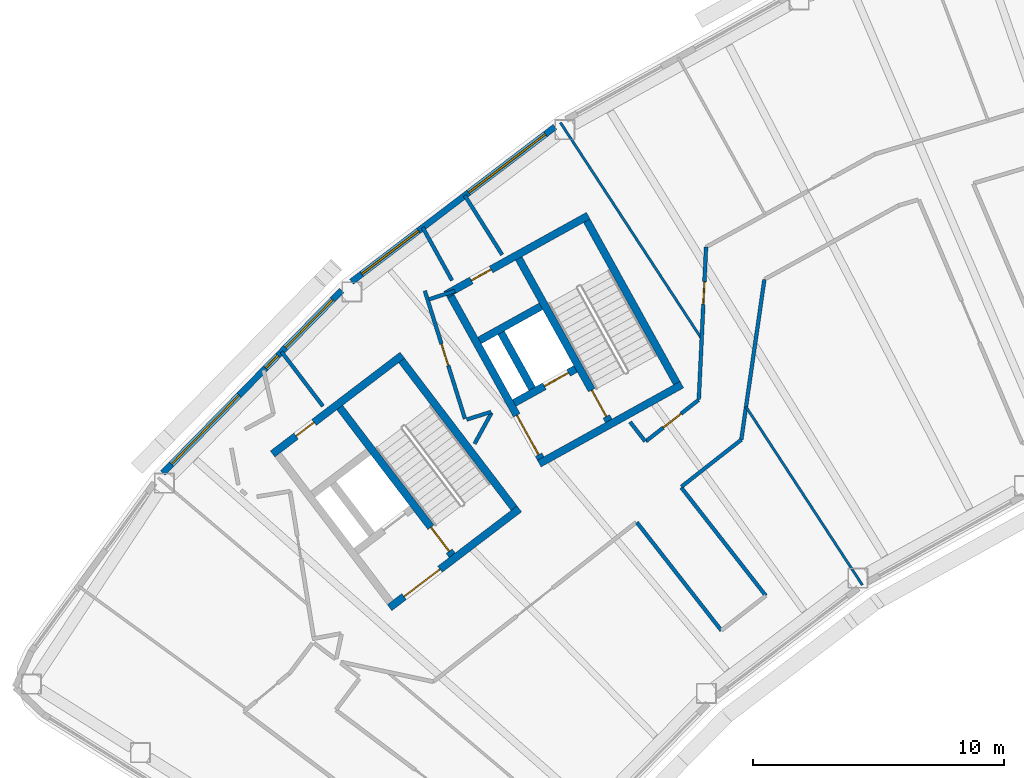
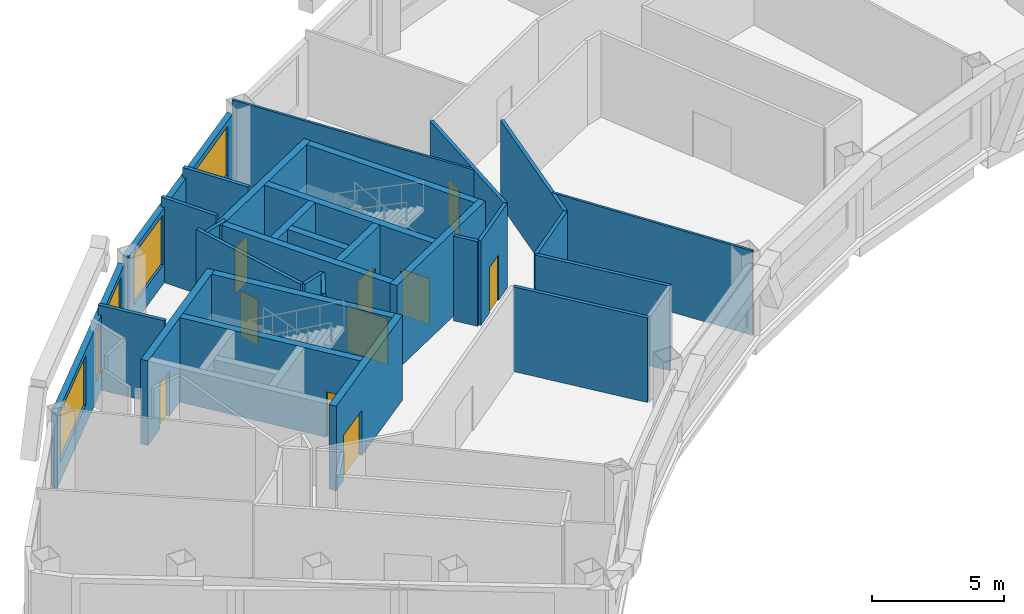
# One storey, part 6 of 14: 30 walls, 10 doors, 5 windows, 15 openings.
"""IFC4 building model written with IfcOpenShell, lengths in metres."""

from ifc_helpers import new_model, si_unit, direction, frame, frame_2d, origin, place, context, subcontext, project, spatial, rectangle, extrude, material, layer, layer_set, type_object, element, fill, save


model = new_model("IFC4")

# Units and contexts
model_context = context("Model", 3, precision=1e-05, world=origin(), true_north=direction((0.0, 1.0)))
body_context = subcontext(model_context, "Body", "Model", "MODEL_VIEW")
ifc_project = project(units=[si_unit("LENGTHUNIT", "METRE"), si_unit("AREAUNIT", "SQUARE_METRE"), si_unit("VOLUMEUNIT", "CUBIC_METRE"), si_unit("PLANEANGLEUNIT", "RADIAN"), si_unit("MASSUNIT", "GRAM", prefix="KILO")], contexts=[model_context])

# Site, building, storey
site_placement = place(None, origin())
site = spatial("IfcSite", under=ifc_project, at=site_placement, CompositionType="ELEMENT")
building_placement = place(site_placement, origin())
building = spatial("IfcBuilding", under=site, at=building_placement, Name="Tuul Gate Civic Tower", CompositionType="ELEMENT")
storey_placement = place(building_placement, frame((0.0, 0.0, 269.39990234375)))
storey = spatial("IfcBuildingStorey", under=building, at=storey_placement, Name="Level 61", CompositionType="ELEMENT", Elevation=269.39990234375)

# Wall, opening, door
ifc_material_1 = material(Name="Concrete C50/60", Category="concrete")
ifc_layer_1 = layer(ifc_material_1, 0.300048828125)
ifc_layer_set_1 = layer_set([ifc_layer_1], Name="Concrete C50/60")
wall_type_1 = type_object("IfcWallType", Name="Core wall C50/60", PredefinedType="SHEAR", material=ifc_layer_set_1)
wall_1_placement = place(storey_placement, frame((-31.19091796875, -13.669677734375, 0.0), z_axis=(0.0, 0.0, 1.0), x_axis=(-0.795606717756, -0.605813461934, 0.0)))
wall_1 = element("IfcWall", 1, at=wall_1_placement, inside=storey, type_object=wall_type_1, Name="Core wall", PredefinedType="SHEAR", context=body_context, shape_type="SweptSolid", body=[
    extrude(rectangle(XDim=6.5, YDim=0.300048828125, at=frame_2d((3.25, 0.0))), origin(), (0.0, 0.0, 1.0), 3.900146484375),
])
opening_1_placement = place(wall_1_placement, frame((3.97509765625, 0.0, 0.0)))
opening_1 = element("IfcOpeningElement", 2, at=opening_1_placement, cuts=wall_1, Name="Opening LB-W1-LOBBY-1", PredefinedType="OPENING", context=body_context, shape_type="SweptSolid", body=[
    extrude(rectangle(XDim=1.800048828125, YDim=2.10009765625, at=frame_2d((0.89990234375, 1.050048828125))), frame((0.0, 0.16015625, 0.0), z_axis=(0.0, -1.0, 0.0), x_axis=(1.0, 0.0, 0.0)), (0.0, 0.0, 1.0), 0.320068359375),
])
ifc_material_2 = material(Name="Steel", Category="steel")
door_type_1 = type_object("IfcDoorType", Name="Lobby door", OperationType="DOUBLE_DOOR_SINGLE_SWING", PredefinedType="DOOR", material=ifc_material_2)
door_1_placement = place(opening_1_placement, origin())
door_1 = element("IfcDoor", 3, at=door_1_placement, inside=storey, type_object=door_type_1, Name="Lobby door W1-LOBBY", OperationType="DOUBLE_DOOR_SINGLE_SWING", OverallHeight=2.10009765625, OverallWidth=1.800048828125, PredefinedType="DOOR", context=body_context, shape_type="SweptSolid", body=[
    extrude(rectangle(XDim=1.800048828125, YDim=2.10009765625, at=frame_2d((0.89990234375, 1.050048828125))), frame((0.0, 0.02490234375, 0.0), z_axis=(0.0, -1.0, 0.0), x_axis=(1.0, 0.0, 0.0)), (0.0, 0.0, 1.0), 0.050048828125),
])
fill(opening_1, door_1)

wall_2_placement = place(storey_placement, frame((-35.855224609375, -7.543212890625, 0.0), z_axis=(0.0, 0.0, 1.0), x_axis=(-0.79563860527, -0.605771582202, 0.0)))
wall_2 = element("IfcWall", 4, at=wall_2_placement, inside=storey, type_object=wall_type_1, Name="Core wall", PredefinedType="SHEAR", context=body_context, shape_type="SweptSolid", body=[
    extrude(rectangle(XDim=6.5, YDim=0.300048828125, at=frame_2d((3.25, 0.0))), origin(), (0.0, 0.0, 1.0), 3.900146484375),
])
opening_2_placement = place(wall_2_placement, frame((4.425048828125, 0.0, 0.0)))
opening_2 = element("IfcOpeningElement", 5, at=opening_2_placement, cuts=wall_2, Name="Opening W-D33", PredefinedType="OPENING", context=body_context, shape_type="SweptSolid", body=[
    extrude(rectangle(XDim=0.89990234375, YDim=2.10009765625, at=frame_2d((0.449951171875, 1.050048828125))), frame((0.0, 0.16015625, 0.0), z_axis=(0.0, -1.0, 0.0), x_axis=(1.0, 0.0, 0.0)), (0.0, 0.0, 1.0), 0.320068359375),
])
ifc_material_3 = material(Name="Timber door leaf", Category="wood")
door_type_2 = type_object("IfcDoorType", Name="Door D09", OperationType="NOTDEFINED", PredefinedType="DOOR", material=ifc_material_3)
door_2_placement = place(opening_2_placement, origin())
door_2 = element("IfcDoor", 6, at=door_2_placement, inside=storey, type_object=door_type_2, Name="Door W-D33", OperationType="SINGLE_SWING_LEFT", OverallHeight=2.10009765625, OverallWidth=0.89990234375, PredefinedType="DOOR", context=body_context, shape_type="SweptSolid", body=[
    extrude(rectangle(XDim=0.89990234375, YDim=2.10009765625, at=frame_2d((0.449951171875, 1.050048828125))), frame((0.0, 0.02490234375, 0.0), z_axis=(0.0, -1.0, 0.0), x_axis=(1.0, 0.0, 0.0)), (0.0, 0.0, 1.0), 0.050048828125),
])
fill(opening_2, door_2)

# Wall
wall_3_placement = place(storey_placement, frame((-31.401123046875, -13.64111328125, 0.0), z_axis=(0.0, 0.0, 1.0), x_axis=(-0.605769822278, 0.795639945213, 0.0)))
element("IfcWall", 7, at=wall_3_placement, inside=storey, type_object=wall_type_1, Name="Core wall", PredefinedType="SHEAR", context=body_context, shape_type="SweptSolid", body=[
    extrude(rectangle(XDim=7.39990234375, YDim=0.300048828125, at=frame_2d((3.699951171875, 0.0))), origin(), (0.0, 0.0, 1.0), 3.900146484375),
])

# Wall, opening, door
wall_4_placement = place(storey_placement, frame((-33.867431640625, -15.51904296875, 0.0), z_axis=(0.0, 0.0, 1.0), x_axis=(-0.605769822278, 0.795639945213, 0.0)))
wall_4 = element("IfcWall", 8, at=wall_4_placement, inside=storey, type_object=wall_type_1, Name="Core wall", PredefinedType="SHEAR", context=body_context, shape_type="SweptSolid", body=[
    extrude(rectangle(XDim=7.39990234375, YDim=0.300048828125, at=frame_2d((3.699951171875, 0.0))), origin(), (0.0, 0.0, 1.0), 3.900146484375),
])
opening_3_placement = place(wall_4_placement, frame((0.199951171875, 0.0, 0.0)))
opening_3 = element("IfcOpeningElement", 9, at=opening_3_placement, cuts=wall_4, Name="Opening SD-ST-1", PredefinedType="OPENING", context=body_context, shape_type="SweptSolid", body=[
    extrude(rectangle(XDim=1.199951171875, YDim=2.10009765625, at=frame_2d((0.60009765625, 1.050048828125))), frame((0.0, 0.16015625, 0.0), z_axis=(0.0, -1.0, 0.0), x_axis=(1.0, 0.0, 0.0)), (0.0, 0.0, 1.0), 0.320068359375),
])
ifc_material_4 = material(Name="Steel", Category="steel")
door_type_3 = type_object("IfcDoorType", Name="Stair door", OperationType="NOTDEFINED", PredefinedType="DOOR", material=ifc_material_4)
door_3_placement = place(opening_3_placement, origin())
door_3 = element("IfcDoor", 10, at=door_3_placement, inside=storey, type_object=door_type_3, Name="Stair door ST-1", OperationType="SINGLE_SWING_LEFT", OverallHeight=2.10009765625, OverallWidth=1.199951171875, PredefinedType="DOOR", context=body_context, shape_type="SweptSolid", body=[
    extrude(rectangle(XDim=1.199951171875, YDim=2.10009765625, at=frame_2d((0.60009765625, 1.050048828125))), frame((0.0, 0.02490234375, 0.0), z_axis=(0.0, -1.0, 0.0), x_axis=(1.0, 0.0, 0.0)), (0.0, 0.0, 1.0), 0.050048828125),
])
fill(opening_3, door_3)

# Wall
wall_5_placement = place(storey_placement, frame((-24.711669921875, -8.7158203125, 0.0), z_axis=(0.0, 0.0, 1.0), x_axis=(-0.874629909008, -0.484791215132, 0.0)))
element("IfcWall", 11, at=wall_5_placement, inside=storey, type_object=wall_type_1, Name="Core wall", PredefinedType="SHEAR", context=body_context, shape_type="SweptSolid", body=[
    extrude(rectangle(XDim=6.5, YDim=0.300048828125, at=frame_2d((3.25, 0.0))), origin(), (0.0, 0.0, 1.0), 3.900146484375),
])

# Wall, opening, door
wall_6_placement = place(storey_placement, frame((-28.94580078125, -8.090087890625, 0.0), z_axis=(0.0, 0.0, 1.0), x_axis=(-0.874629840737, -0.484791338301, 0.0)))
wall_6 = element("IfcWall", 12, at=wall_6_placement, inside=storey, type_object=wall_type_1, Name="Core wall", PredefinedType="SHEAR", context=body_context, shape_type="SweptSolid", body=[
    extrude(rectangle(XDim=2.800048828125, YDim=0.300048828125, at=frame_2d((1.39990234375, 0.0))), origin(), (0.0, 0.0, 1.0), 3.900146484375),
])
opening_4_placement = place(wall_6_placement, frame((0.324951171875, 0.0, 0.0)))
opening_4 = element("IfcOpeningElement", 13, at=opening_4_placement, cuts=wall_6, Name="Opening LD-FF-1", PredefinedType="OPENING", context=body_context, shape_type="SweptSolid", body=[
    extrude(rectangle(XDim=1.10009765625, YDim=2.10009765625, at=frame_2d((0.550048828125, 1.050048828125))), frame((0.0, 0.16015625, 0.0), z_axis=(0.0, -1.0, 0.0), x_axis=(1.0, 0.0, 0.0)), (0.0, 0.0, 1.0), 0.320068359375),
])
ifc_material_5 = material(Name="Stainless steel", Category="steel")
door_type_4 = type_object("IfcDoorType", Name="Landing door", OperationType="DOUBLE_DOOR_SLIDING", PredefinedType="DOOR", material=ifc_material_5)
door_4_placement = place(opening_4_placement, origin())
door_4 = element("IfcDoor", 14, at=door_4_placement, inside=storey, type_object=door_type_4, Name="Fire-fighting lift FF-1 landing door", OperationType="DOUBLE_DOOR_SLIDING", OverallHeight=2.10009765625, OverallWidth=1.10009765625, PredefinedType="DOOR", context=body_context, shape_type="SweptSolid", body=[
    extrude(rectangle(XDim=1.10009765625, YDim=2.10009765625, at=frame_2d((0.550048828125, 1.050048828125))), frame((0.0, 0.02490234375, 0.0), z_axis=(0.0, -1.0, 0.0), x_axis=(1.0, 0.0, 0.0)), (0.0, 0.0, 1.0), 0.050048828125),
])
fill(opening_4, door_4)

# Wall
wall_7_placement = place(storey_placement, frame((-30.327392578125, -5.59716796875, 0.0), z_axis=(0.0, 0.0, 1.0), x_axis=(-0.874629840737, -0.484791338301, 0.0)))
element("IfcWall", 15, at=wall_7_placement, inside=storey, type_object=wall_type_1, Name="Core wall", PredefinedType="SHEAR", context=body_context, shape_type="SweptSolid", body=[
    extrude(rectangle(XDim=2.800048828125, YDim=0.300048828125, at=frame_2d((1.39990234375, 0.0))), origin(), (0.0, 0.0, 1.0), 3.900146484375),
])

# Wall, opening, door
wall_8_placement = place(storey_placement, frame((-28.4443359375, -1.98095703125, 0.0), z_axis=(0.0, 0.0, 1.0), x_axis=(-0.874629909008, -0.484791215132, 0.0)))
wall_8 = element("IfcWall", 16, at=wall_8_placement, inside=storey, type_object=wall_type_1, Name="Core wall", PredefinedType="SHEAR", context=body_context, shape_type="SweptSolid", body=[
    extrude(rectangle(XDim=6.5, YDim=0.300048828125, at=frame_2d((3.25, 0.0))), origin(), (0.0, 0.0, 1.0), 3.900146484375),
])
opening_5_placement = place(wall_8_placement, frame((4.425048828125, 0.0, 0.0)))
opening_5 = element("IfcOpeningElement", 17, at=opening_5_placement, cuts=wall_8, Name="Opening W-D34", PredefinedType="OPENING", context=body_context, shape_type="SweptSolid", body=[
    extrude(rectangle(XDim=0.89990234375, YDim=2.10009765625, at=frame_2d((0.449951171875, 1.050048828125))), frame((0.0, 0.16015625, 0.0), z_axis=(0.0, -1.0, 0.0), x_axis=(1.0, 0.0, 0.0)), (0.0, 0.0, 1.0), 0.320068359375),
])
door_5_placement = place(opening_5_placement, origin())
door_5 = element("IfcDoor", 18, at=door_5_placement, inside=storey, type_object=door_type_2, Name="Door W-D34", OperationType="SINGLE_SWING_LEFT", OverallHeight=2.10009765625, OverallWidth=0.89990234375, PredefinedType="DOOR", context=body_context, shape_type="SweptSolid", body=[
    extrude(rectangle(XDim=0.89990234375, YDim=2.10009765625, at=frame_2d((0.449951171875, 1.050048828125))), frame((0.0, 0.02490234375, 0.0), z_axis=(0.0, -1.0, 0.0), x_axis=(1.0, 0.0, 0.0)), (0.0, 0.0, 1.0), 0.050048828125),
])
fill(opening_5, door_5)

# Wall
wall_9_placement = place(storey_placement, frame((-24.91552734375, -8.6572265625, 0.0), z_axis=(0.0, 0.0, 1.0), x_axis=(-0.484777133038, 0.874637714304, 0.0)))
element("IfcWall", 19, at=wall_9_placement, inside=storey, type_object=wall_type_1, Name="Core wall", PredefinedType="SHEAR", context=body_context, shape_type="SweptSolid", body=[
    extrude(rectangle(XDim=7.400146484375, YDim=0.300048828125, at=frame_2d((3.7001953125, 0.0))), origin(), (0.0, 0.0, 1.0), 3.900146484375),
])

# Wall, opening, door
wall_10_placement = place(storey_placement, frame((-27.626953125, -10.16015625, 0.0), z_axis=(0.0, 0.0, 1.0), x_axis=(-0.484751894226, 0.874651702704, 0.0)))
wall_10 = element("IfcWall", 20, at=wall_10_placement, inside=storey, type_object=wall_type_1, Name="Core wall", PredefinedType="SHEAR", context=body_context, shape_type="SweptSolid", body=[
    extrude(rectangle(XDim=7.39990234375, YDim=0.300048828125, at=frame_2d((3.699951171875, 0.0))), origin(), (0.0, 0.0, 1.0), 3.900146484375),
])
opening_6_placement = place(wall_10_placement, frame((0.199951171875, 0.0, 0.0)))
opening_6 = element("IfcOpeningElement", 21, at=opening_6_placement, cuts=wall_10, Name="Opening SD-ST-2", PredefinedType="OPENING", context=body_context, shape_type="SweptSolid", body=[
    extrude(rectangle(XDim=1.199951171875, YDim=2.10009765625, at=frame_2d((0.60009765625, 1.050048828125))), frame((0.0, 0.16015625, 0.0), z_axis=(0.0, -1.0, 0.0), x_axis=(1.0, 0.0, 0.0)), (0.0, 0.0, 1.0), 0.320068359375),
])
door_6_placement = place(opening_6_placement, origin())
door_6 = element("IfcDoor", 22, at=door_6_placement, inside=storey, type_object=door_type_3, Name="Stair door ST-2", OperationType="SINGLE_SWING_LEFT", OverallHeight=2.10009765625, OverallWidth=1.199951171875, PredefinedType="DOOR", context=body_context, shape_type="SweptSolid", body=[
    extrude(rectangle(XDim=1.199951171875, YDim=2.10009765625, at=frame_2d((0.60009765625, 1.050048828125))), frame((0.0, 0.02490234375, 0.0), z_axis=(0.0, -1.0, 0.0), x_axis=(1.0, 0.0, 0.0)), (0.0, 0.0, 1.0), 0.050048828125),
])
fill(opening_6, door_6)

# Wall
wall_11_placement = place(storey_placement, frame((-30.680419921875, -8.8798828125, 0.0), z_axis=(0.0, 0.0, 1.0), x_axis=(-0.484724115216, 0.874667097888, 0.0)))
element("IfcWall", 23, at=wall_11_placement, inside=storey, type_object=wall_type_1, Name="Core wall", PredefinedType="SHEAR", context=body_context, shape_type="SweptSolid", body=[
    extrude(rectangle(XDim=2.550048828125, YDim=0.300048828125, at=frame_2d((1.27490234375, 0.0))), origin(), (0.0, 0.0, 1.0), 3.900146484375),
])

# Wall, opening, door
wall_12_placement = place(storey_placement, frame((-30.33837890625, -11.6630859375, 0.0), z_axis=(0.0, 0.0, 1.0), x_axis=(-0.484751894226, 0.874651702704, 0.0)))
wall_12 = element("IfcWall", 24, at=wall_12_placement, inside=storey, type_object=wall_type_1, Name="Core wall", PredefinedType="SHEAR", context=body_context, shape_type="SweptSolid", body=[
    extrude(rectangle(XDim=7.39990234375, YDim=0.300048828125, at=frame_2d((3.699951171875, 0.0))), origin(), (0.0, 0.0, 1.0), 3.900146484375),
])
opening_7_placement = place(wall_12_placement, frame((0.175048828125, 0.0, 0.0)))
opening_7 = element("IfcOpeningElement", 25, at=opening_7_placement, cuts=wall_12, Name="Opening LB-W2-FLOBBY-1", PredefinedType="OPENING", context=body_context, shape_type="SweptSolid", body=[
    extrude(rectangle(XDim=1.800048828125, YDim=2.10009765625, at=frame_2d((0.89990234375, 1.050048828125))), frame((0.0, 0.16015625, 0.0), z_axis=(0.0, -1.0, 0.0), x_axis=(1.0, 0.0, 0.0)), (0.0, 0.0, 1.0), 0.320068359375),
])
door_7_placement = place(opening_7_placement, frame((1.800048828125, 0.0, 0.0), z_axis=(0.0, 0.0, 1.0), x_axis=(-1.0, 0.0, 0.0)))
door_7 = element("IfcDoor", 26, at=door_7_placement, inside=storey, type_object=door_type_1, Name="Lobby door W2-FLOBBY", OperationType="DOUBLE_DOOR_SINGLE_SWING", OverallHeight=2.10009765625, OverallWidth=1.800048828125, PredefinedType="DOOR", context=body_context, shape_type="SweptSolid", body=[
    extrude(rectangle(XDim=1.800048828125, YDim=2.10009765625, at=frame_2d((0.900146484375, 1.050048828125))), frame((0.0, 0.02490234375, 0.0), z_axis=(0.0, -1.0, 0.0), x_axis=(1.0, 0.0, 0.0)), (0.0, 0.0, 1.0), 0.050048828125),
])
fill(opening_7, door_7)

# Wall
ifc_material_6 = material(Name="Gypsum board partition")
ifc_layer_2 = layer(ifc_material_6, 0.14990234375)
ifc_layer_set_2 = layer_set([ifc_layer_2], Name="Gypsum board partition")
wall_type_2 = type_object("IfcWallType", Name="Corridor wall P150", PredefinedType="PARTITIONING", material=ifc_layer_set_2)
wall_13_placement = place(storey_placement, frame((-34.794189453125, -5.319580078125, 0.0), z_axis=(0.0, 0.0, 1.0), x_axis=(0.95087756527, 0.30956720735, 0.0)))
element("IfcWall", 27, at=wall_13_placement, inside=storey, type_object=wall_type_2, Name="p037", PredefinedType="PARTITIONING", context=body_context, shape_type="SweptSolid", body=[
    extrude(rectangle(XDim=1.08984375, YDim=0.14990234375, at=frame_2d((0.544921875, 0.0))), origin(), (0.0, 0.0, 1.0), 3.900146484375),
])

# Wall, opening, door
wall_14_placement = place(storey_placement, frame((-24.03662109375, -9.312744140625, 0.0), z_axis=(0.0, 0.0, 1.0), x_axis=(0.047761393896, 0.998858773428, 0.0)))
wall_14 = element("IfcWall", 28, at=wall_14_placement, inside=storey, type_object=wall_type_2, Name="p041", PredefinedType="PARTITIONING", context=body_context, shape_type="SweptSolid", body=[
    extrude(rectangle(XDim=6.087890625, YDim=0.14990234375, at=frame_2d((3.0439453125, 0.0))), origin(), (0.0, 0.0, 1.0), 3.900146484375),
])
opening_8_placement = place(wall_14_placement, frame((3.803955078125, 0.0, 0.0)))
opening_8 = element("IfcOpeningElement", 29, at=opening_8_placement, cuts=wall_14, Name="Opening W-D15", PredefinedType="OPENING", context=body_context, shape_type="SweptSolid", body=[
    extrude(rectangle(XDim=0.89990234375, YDim=2.10009765625, at=frame_2d((0.449951171875, 1.050048828125))), frame((0.0, 0.0849609375, 0.0), z_axis=(0.0, -1.0, 0.0), x_axis=(1.0, 0.0, 0.0)), (0.0, 0.0, 1.0), 0.169921875),
])
door_8_placement = place(opening_8_placement, origin())
door_8 = element("IfcDoor", 30, at=door_8_placement, inside=storey, type_object=door_type_2, Name="Door W-D15", OperationType="SINGLE_SWING_LEFT", OverallHeight=2.10009765625, OverallWidth=0.89990234375, PredefinedType="DOOR", context=body_context, shape_type="SweptSolid", body=[
    extrude(rectangle(XDim=0.89990234375, YDim=2.10009765625, at=frame_2d((0.449951171875, 1.050048828125))), frame((0.0, 0.02490234375, 0.0), z_axis=(0.0, -1.0, 0.0), x_axis=(1.0, 0.0, 0.0)), (0.0, 0.0, 1.0), 0.050048828125),
])
fill(opening_8, door_8)

wall_15_placement = place(storey_placement, frame((-26.147705078125, -10.977294921875, 0.0), z_axis=(0.0, 0.0, 1.0), x_axis=(0.786910828548, 0.617066728899, 0.0)))
wall_15 = element("IfcWall", 31, at=wall_15_placement, inside=storey, type_object=wall_type_2, Name="p042", PredefinedType="PARTITIONING", context=body_context, shape_type="SweptSolid", body=[
    extrude(rectangle(XDim=2.672119140625, YDim=0.14990234375, at=frame_2d((1.3359375, 0.0))), origin(), (0.0, 0.0, 1.0), 3.900146484375),
])
opening_9_placement = place(wall_15_placement, frame((0.88623046875, 0.0, 0.0)))
opening_9 = element("IfcOpeningElement", 32, at=opening_9_placement, cuts=wall_15, Name="Opening W-D16", PredefinedType="OPENING", context=body_context, shape_type="SweptSolid", body=[
    extrude(rectangle(XDim=0.89990234375, YDim=2.10009765625, at=frame_2d((0.449951171875, 1.050048828125))), frame((0.0, 0.0849609375, 0.0), z_axis=(0.0, -1.0, 0.0), x_axis=(1.0, 0.0, 0.0)), (0.0, 0.0, 1.0), 0.169921875),
])
door_9_placement = place(opening_9_placement, origin())
door_9 = element("IfcDoor", 33, at=door_9_placement, inside=storey, type_object=door_type_2, Name="Door W-D16", OperationType="SINGLE_SWING_LEFT", OverallHeight=2.10009765625, OverallWidth=0.89990234375, PredefinedType="DOOR", context=body_context, shape_type="SweptSolid", body=[
    extrude(rectangle(XDim=0.89990234375, YDim=2.10009765625, at=frame_2d((0.449951171875, 1.050048828125))), frame((0.0, 0.02490234375, 0.0), z_axis=(0.0, -1.0, 0.0), x_axis=(1.0, 0.0, 0.0)), (0.0, 0.0, 1.0), 0.050048828125),
])
fill(opening_9, door_9)

# Walls
wall_16_placement = place(storey_placement, frame((-26.77734375, -10.20458984375, 0.0), z_axis=(0.0, 0.0, 1.0), x_axis=(0.6155324018, -0.788111579875, 0.0)))
element("IfcWall", 34, at=wall_16_placement, inside=storey, type_object=wall_type_2, Name="p043", PredefinedType="PARTITIONING", context=body_context, shape_type="SweptSolid", body=[
    extrude(rectangle(XDim=0.97607421875, YDim=0.14990234375, at=frame_2d((0.488037109375, 0.0))), origin(), (0.0, 0.0, 1.0), 3.900146484375),
])
wall_17_placement = place(storey_placement, frame((-24.734619140625, -12.819091796875, 0.0), z_axis=(0.0, 0.0, 1.0), x_axis=(0.615656160531, -0.788014905951, 0.0)))
element("IfcWall", 35, at=wall_17_placement, inside=storey, type_object=wall_type_2, Name="p044", PredefinedType="PARTITIONING", context=body_context, shape_type="SweptSolid", body=[
    extrude(rectangle(XDim=5.47314453125, YDim=0.14990234375, at=frame_2d((2.736572265625, 0.0))), origin(), (0.0, 0.0, 1.0), 3.900146484375),
])
wall_18_placement = place(storey_placement, frame((-33.365478515625, -1.1748046875, 0.0), z_axis=(0.0, 0.0, 1.0), x_axis=(0.533065798125, -0.846073788076, 0.0)))
element("IfcWall", 36, at=wall_18_placement, inside=storey, type_object=wall_type_2, Name="p045", PredefinedType="PARTITIONING", context=body_context, shape_type="SweptSolid", body=[
    extrude(rectangle(XDim=2.794677734375, YDim=0.14990234375, at=frame_2d((1.3974609375, 0.0))), origin(), (0.0, 0.0, 1.0), 3.900146484375),
])
wall_19_placement = place(storey_placement, frame((-35.04296875, -2.451904296875, 0.0), z_axis=(0.0, 0.0, 1.0), x_axis=(0.484714349253, -0.87467250993, 0.0)))
element("IfcWall", 37, at=wall_19_placement, inside=storey, type_object=wall_type_2, Name="p046", PredefinedType="PARTITIONING", context=body_context, shape_type="SweptSolid", body=[
    extrude(rectangle(XDim=2.41162109375, YDim=0.14990234375, at=frame_2d((1.205810546875, 0.0))), origin(), (0.0, 0.0, 1.0), 3.900146484375),
])

# Wall, opening, door
wall_20_placement = place(storey_placement, frame((-34.95849609375, -4.9794921875, 0.0), z_axis=(0.0, 0.0, 1.0), x_axis=(0.299486852474, -0.954100427206, 0.0)))
wall_20 = element("IfcWall", 38, at=wall_20_placement, inside=storey, type_object=wall_type_2, Name="p047", PredefinedType="PARTITIONING", context=body_context, shape_type="SweptSolid", body=[
    extrude(rectangle(XDim=5.344482421875, YDim=0.14990234375, at=frame_2d((2.67236328125, 0.0))), origin(), (0.0, 0.0, 1.0), 3.900146484375),
])
opening_10_placement = place(wall_20_placement, frame((2.22216796875, 0.0, 0.0)))
opening_10 = element("IfcOpeningElement", 39, at=opening_10_placement, cuts=wall_20, Name="Opening W-D17", PredefinedType="OPENING", context=body_context, shape_type="SweptSolid", body=[
    extrude(rectangle(XDim=0.89990234375, YDim=2.10009765625, at=frame_2d((0.449951171875, 1.050048828125))), frame((0.0, 0.0849609375, 0.0), z_axis=(0.0, -1.0, 0.0), x_axis=(1.0, 0.0, 0.0)), (0.0, 0.0, 1.0), 0.169921875),
])
door_10_placement = place(opening_10_placement, frame((0.89990234375, 0.0, 0.0), z_axis=(0.0, 0.0, 1.0), x_axis=(-1.0, 0.0, 0.0)))
door_10 = element("IfcDoor", 40, at=door_10_placement, inside=storey, type_object=door_type_2, Name="Door W-D17", OperationType="SINGLE_SWING_LEFT", OverallHeight=2.10009765625, OverallWidth=0.89990234375, PredefinedType="DOOR", context=body_context, shape_type="SweptSolid", body=[
    extrude(rectangle(XDim=0.89990234375, YDim=2.10009765625, at=frame_2d((0.449951171875, 1.050048828125))), frame((0.0, 0.02490234375, 0.0), z_axis=(0.0, -1.0, 0.0), x_axis=(1.0, 0.0, 0.0)), (0.0, 0.0, 1.0), 0.050048828125),
])
fill(opening_10, door_10)

# Walls
wall_21_placement = place(storey_placement, frame((-33.294921875, -10.111572265625, 0.0), z_axis=(0.0, 0.0, 1.0), x_axis=(0.954097025147, 0.299497690485, 0.0)))
element("IfcWall", 41, at=wall_21_placement, inside=storey, type_object=wall_type_2, Name="p048", PredefinedType="PARTITIONING", context=body_context, shape_type="SweptSolid", body=[
    extrude(rectangle(XDim=1.02294921875, YDim=0.14990234375, at=frame_2d((0.511474609375, 0.0))), origin(), (0.0, 0.0, 1.0), 3.900146484375),
])
wall_22_placement = place(storey_placement, frame((-32.9755859375, -11.076904296875, 0.0), z_axis=(0.0, 0.0, 1.0), x_axis=(0.479986398448, 0.87727592997, 0.0)))
element("IfcWall", 42, at=wall_22_placement, inside=storey, type_object=wall_type_2, Name="p049", PredefinedType="PARTITIONING", context=body_context, shape_type="SweptSolid", body=[
    extrude(rectangle(XDim=1.4169921875, YDim=0.14990234375, at=frame_2d((0.70849609375, 0.0))), origin(), (0.0, 0.0, 1.0), 3.900146484375),
])
wall_23_placement = place(storey_placement, frame((-40.67236328125, -7.407470703125, 0.0), z_axis=(0.0, 0.0, 1.0), x_axis=(0.605902863311, -0.795538635285, 0.0)))
element("IfcWall", 43, at=wall_23_placement, inside=storey, type_object=wall_type_2, Name="p050", PredefinedType="PARTITIONING", context=body_context, shape_type="SweptSolid", body=[
    extrude(rectangle(XDim=2.7255859375, YDim=0.14990234375, at=frame_2d((1.36279296875, 0.0))), origin(), (0.0, 0.0, 1.0), 3.900146484375),
])
wall_24_placement = place(storey_placement, frame((-22.34228515625, -10.913818359375, 0.0), z_axis=(0.0, 0.0, 1.0), x_axis=(0.142798133898, 0.989751834025, 0.0)))
element("IfcWall", 44, at=wall_24_placement, inside=storey, type_object=wall_type_2, Name="p090", PredefinedType="PARTITIONING", context=body_context, shape_type="SweptSolid", body=[
    extrude(rectangle(XDim=6.4541015625, YDim=0.14990234375, at=frame_2d((3.22705078125, 0.0))), origin(), (0.0, 0.0, 1.0), 3.900146484375),
])
wall_25_placement = place(storey_placement, frame((-24.731201171875, -12.790283203125, 0.0), z_axis=(0.0, 0.0, 1.0), x_axis=(0.786404784197, 0.6177115147, 0.0)))
element("IfcWall", 45, at=wall_25_placement, inside=storey, type_object=wall_type_2, Name="p094", PredefinedType="PARTITIONING", context=body_context, shape_type="SweptSolid", body=[
    extrude(rectangle(XDim=3.037841796875, YDim=0.14990234375, at=frame_2d((1.51904296875, 0.0))), origin(), (0.0, 0.0, 1.0), 3.900146484375),
])
wall_26_placement = place(storey_placement, frame((-26.50390625, -14.208984375, 0.0), z_axis=(0.0, 0.0, 1.0), x_axis=(0.615651840912, -0.788018280741, 0.0)))
element("IfcWall", 46, at=wall_26_placement, inside=storey, type_object=wall_type_2, Name="p095", PredefinedType="PARTITIONING", context=body_context, shape_type="SweptSolid", body=[
    extrude(rectangle(XDim=5.46728515625, YDim=0.14990234375, at=frame_2d((2.733642578125, 0.0))), origin(), (0.0, 0.0, 1.0), 3.900146484375),
])

# Wall, openings, windows
ifc_material_7 = material(Name="Precast concrete C40/50", Category="concrete")
ifc_layer_3 = layer(ifc_material_7, 0.25)
ifc_layer_set_3 = layer_set([ifc_layer_3], Name="Precast concrete C40/50")
wall_type_3 = type_object("IfcWallType", Name="External wall", PredefinedType="STANDARD", material=ifc_layer_set_3)
wall_27_placement = place(storey_placement, frame((-29.77099609375, 1.555419921875, 0.0), z_axis=(0.0, 0.0, 1.0), x_axis=(-0.795654969417, -0.605750088437, 0.0)))
wall_27 = element("IfcWall", 47, at=wall_27_placement, inside=storey, type_object=wall_type_3, Name="External wall", PredefinedType="STANDARD", context=body_context, shape_type="SweptSolid", body=[
    extrude(rectangle(XDim=10.189697265625, YDim=0.25, at=frame_2d((5.0947265625, 0.0))), origin(), (0.0, 0.0, 1.0), 3.4501953125),
])
opening_11_placement = place(wall_27_placement, frame((0.47314453125, 0.0, 0.89990234375)))
opening_11 = element("IfcOpeningElement", 48, at=opening_11_placement, cuts=wall_27, Name="Opening W22", PredefinedType="OPENING", context=body_context, shape_type="SweptSolid", body=[
    extrude(rectangle(XDim=3.85009765625, YDim=2.300048828125, at=frame_2d((1.925048828125, 1.14990234375))), frame((0.0, 0.135009765625, 0.0), z_axis=(0.0, -1.0, 0.0), x_axis=(1.0, 0.0, 0.0)), (0.0, 0.0, 1.0), 0.27001953125),
])
opening_12_placement = place(wall_27_placement, frame((6.8330078125, 0.0, 0.89990234375)))
opening_12 = element("IfcOpeningElement", 49, at=opening_12_placement, cuts=wall_27, Name="Opening W68", PredefinedType="OPENING", context=body_context, shape_type="SweptSolid", body=[
    extrude(rectangle(XDim=2.85009765625, YDim=2.300048828125, at=frame_2d((1.425048828125, 1.14990234375))), frame((0.0, 0.135009765625, 0.0), z_axis=(0.0, -1.0, 0.0), x_axis=(1.0, 0.0, 0.0)), (0.0, 0.0, 1.0), 0.27001953125),
])
ifc_material_8 = material(Name="Glass", Category="glass")
window_type_1 = type_object("IfcWindowType", Name="Window 2850 x 2300", PartitioningType="SINGLE_PANEL", PredefinedType="WINDOW", material=ifc_material_8)
window_1_placement = place(opening_12_placement, origin())
window_1 = element("IfcWindow", 50, at=window_1_placement, inside=storey, type_object=window_type_1, Name="Window", OverallHeight=2.300048828125, OverallWidth=2.85009765625, PartitioningType="SINGLE_PANEL", PredefinedType="WINDOW", context=body_context, shape_type="SweptSolid", body=[
    extrude(rectangle(XDim=2.85009765625, YDim=2.300048828125, at=frame_2d((1.425048828125, 1.14990234375))), frame((0.0, 0.030029296875, 0.0), z_axis=(0.0, -1.0, 0.0), x_axis=(1.0, 0.0, 0.0)), (0.0, 0.0, 1.0), 0.06005859375),
])
fill(opening_12, window_1)
ifc_material_9 = material(Name="Glass", Category="glass")
window_type_2 = type_object("IfcWindowType", Name="Window W22 3850 x 2300", PartitioningType="SINGLE_PANEL", PredefinedType="WINDOW", material=ifc_material_9)
window_2_placement = place(opening_11_placement, origin())
window_2 = element("IfcWindow", 51, at=window_2_placement, inside=storey, type_object=window_type_2, Name="Window", OverallHeight=2.300048828125, OverallWidth=3.85009765625, PartitioningType="SINGLE_PANEL", PredefinedType="WINDOW", context=body_context, shape_type="SweptSolid", body=[
    extrude(rectangle(XDim=3.85009765625, YDim=2.300048828125, at=frame_2d((1.925048828125, 1.14990234375))), frame((0.0, 0.030029296875, 0.0), z_axis=(0.0, -1.0, 0.0), x_axis=(1.0, 0.0, 0.0)), (0.0, 0.0, 1.0), 0.06005859375),
])
fill(opening_11, window_2)

wall_28_placement = place(storey_placement, frame((-38.26708984375, -4.960693359375, 0.0), z_axis=(0.0, 0.0, 1.0), x_axis=(-0.699995514974, -0.714147239031, 0.0)))
wall_28 = element("IfcWall", 52, at=wall_28_placement, inside=storey, type_object=wall_type_3, Name="External wall", PredefinedType="STANDARD", context=body_context, shape_type="SweptSolid", body=[
    extrude(rectangle(XDim=10.19580078125, YDim=0.25, at=frame_2d((5.097900390625, 0.0))), origin(), (0.0, 0.0, 1.0), 3.4501953125),
])
opening_13_placement = place(wall_28_placement, frame((5.85888671875, 0.0, 0.89990234375)))
opening_13 = element("IfcOpeningElement", 53, at=opening_13_placement, cuts=wall_28, Name="Opening W22", PredefinedType="OPENING", context=body_context, shape_type="SweptSolid", body=[
    extrude(rectangle(XDim=3.85009765625, YDim=2.300048828125, at=frame_2d((1.925048828125, 1.14990234375))), frame((0.0, 0.135009765625, 0.0), z_axis=(0.0, -1.0, 0.0), x_axis=(1.0, 0.0, 0.0)), (0.0, 0.0, 1.0), 0.27001953125),
])
opening_14_placement = place(wall_28_placement, frame((0.50927734375, 0.0, 0.89990234375)))
opening_14 = element("IfcOpeningElement", 54, at=opening_14_placement, cuts=wall_28, Name="Opening W69", PredefinedType="OPENING", context=body_context, shape_type="SweptSolid", body=[
    extrude(rectangle(XDim=2.699951171875, YDim=2.300048828125, at=frame_2d((1.35009765625, 1.14990234375))), frame((0.0, 0.135009765625, 0.0), z_axis=(0.0, -1.0, 0.0), x_axis=(1.0, 0.0, 0.0)), (0.0, 0.0, 1.0), 0.27001953125),
])
opening_15_placement = place(wall_28_placement, frame((3.63427734375, 0.0, 0.89990234375)))
opening_15 = element("IfcOpeningElement", 55, at=opening_15_placement, cuts=wall_28, Name="Opening W70", PredefinedType="OPENING", context=body_context, shape_type="SweptSolid", body=[
    extrude(rectangle(XDim=0.699951171875, YDim=2.300048828125, at=frame_2d((0.35009765625, 1.14990234375))), frame((0.0, 0.135009765625, 0.0), z_axis=(0.0, -1.0, 0.0), x_axis=(1.0, 0.0, 0.0)), (0.0, 0.0, 1.0), 0.27001953125),
])
ifc_material_10 = material(Name="Glass", Category="glass")
window_type_3 = type_object("IfcWindowType", Name="Window 2700 x 2300", PartitioningType="SINGLE_PANEL", PredefinedType="WINDOW", material=ifc_material_10)
window_3_placement = place(opening_14_placement, origin())
window_3 = element("IfcWindow", 56, at=window_3_placement, inside=storey, type_object=window_type_3, Name="Window", OverallHeight=2.300048828125, OverallWidth=2.699951171875, PartitioningType="SINGLE_PANEL", PredefinedType="WINDOW", context=body_context, shape_type="SweptSolid", body=[
    extrude(rectangle(XDim=2.699951171875, YDim=2.300048828125, at=frame_2d((1.35009765625, 1.14990234375))), frame((0.0, 0.030029296875, 0.0), z_axis=(0.0, -1.0, 0.0), x_axis=(1.0, 0.0, 0.0)), (0.0, 0.0, 1.0), 0.06005859375),
])
fill(opening_14, window_3)
ifc_material_11 = material(Name="Glass", Category="glass")
window_type_4 = type_object("IfcWindowType", Name="Window 700 x 2300", PartitioningType="SINGLE_PANEL", PredefinedType="WINDOW", material=ifc_material_11)
window_4_placement = place(opening_15_placement, origin())
window_4 = element("IfcWindow", 57, at=window_4_placement, inside=storey, type_object=window_type_4, Name="Window", OverallHeight=2.300048828125, OverallWidth=0.699951171875, PartitioningType="SINGLE_PANEL", PredefinedType="WINDOW", context=body_context, shape_type="SweptSolid", body=[
    extrude(rectangle(XDim=0.699951171875, YDim=2.300048828125, at=frame_2d((0.35009765625, 1.14990234375))), frame((0.0, 0.030029296875, 0.0), z_axis=(0.0, -1.0, 0.0), x_axis=(1.0, 0.0, 0.0)), (0.0, 0.0, 1.0), 0.06005859375),
])
fill(opening_15, window_4)
window_5_placement = place(opening_13_placement, origin())
window_5 = element("IfcWindow", 58, at=window_5_placement, inside=storey, type_object=window_type_2, Name="Window", OverallHeight=2.300048828125, OverallWidth=3.85009765625, PartitioningType="SINGLE_PANEL", PredefinedType="WINDOW", context=body_context, shape_type="SweptSolid", body=[
    extrude(rectangle(XDim=3.85009765625, YDim=2.300048828125, at=frame_2d((1.925048828125, 1.14990234375))), frame((0.0, 0.030029296875, 0.0), z_axis=(0.0, -1.0, 0.0), x_axis=(1.0, 0.0, 0.0)), (0.0, 0.0, 1.0), 0.06005859375),
])
fill(opening_13, window_5)

# Walls
ifc_material_12 = material(Name="Gypsum board partition")
ifc_layer_4 = layer(ifc_material_12, 0.10009765625)
ifc_layer_set_4 = layer_set([ifc_layer_4], Name="Gypsum board partition")
wall_type_4 = type_object("IfcWallType", Name="Partition P100", PredefinedType="PARTITIONING", material=ifc_layer_set_4)
wall_29_placement = place(storey_placement, frame((-29.552001953125, 1.728271484375, 0.0), z_axis=(0.0, 0.0, 1.0), x_axis=(0.54672107307, -0.837314796395, 0.0)))
element("IfcWall", 59, at=wall_29_placement, inside=storey, type_object=wall_type_4, Name="p039", PredefinedType="PARTITIONING", context=body_context, shape_type="SweptSolid", body=[
    extrude(rectangle(XDim=10.29931640625, YDim=0.10009765625, at=frame_2d((5.149658203125, 0.0))), origin(), (0.0, 0.0, 1.0), 3.900146484375),
])
wall_30_placement = place(storey_placement, frame((-22.1533203125, -9.60302734375, 0.0), z_axis=(0.0, 0.0, 1.0), x_axis=(0.546732911578, -0.837307066373, 0.0)))
element("IfcWall", 60, at=wall_30_placement, inside=storey, type_object=wall_type_4, Name="p040", PredefinedType="PARTITIONING", context=body_context, shape_type="SweptSolid", body=[
    extrude(rectangle(XDim=8.484375, YDim=0.10009765625, at=frame_2d((4.2421875, 0.0))), origin(), (0.0, 0.0, 1.0), 3.900146484375),
])

save(model, "model.ifc")
